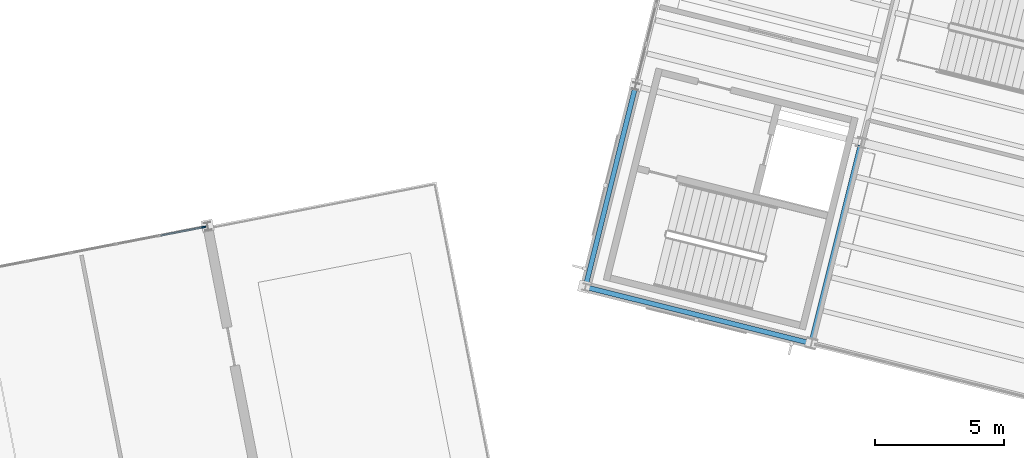
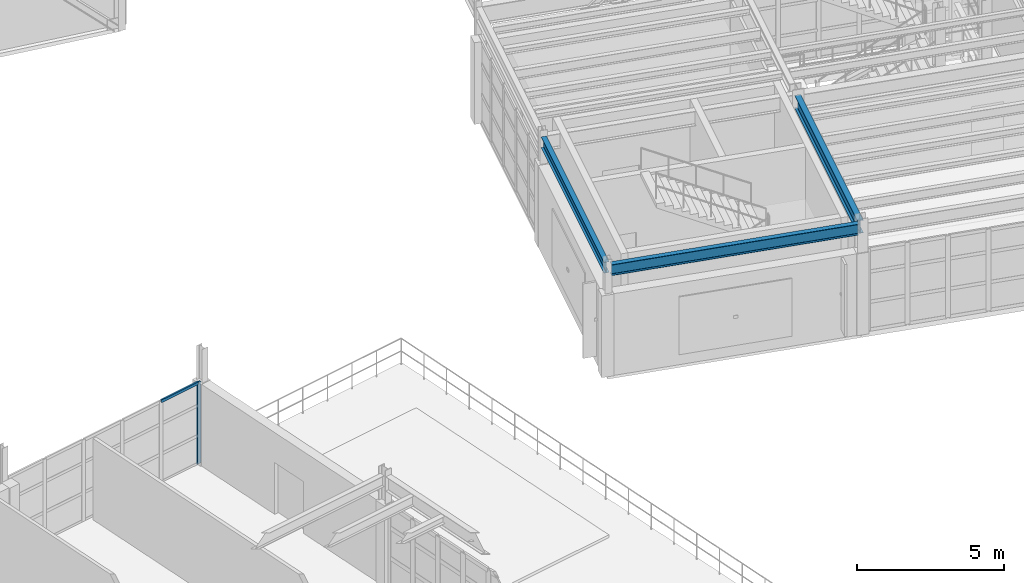
# One storey, part 28 of 109: 3 beams, 2 members, 1 element without a shape of its own.
"""IFC4 building model written with IfcOpenShell, lengths in metres."""

from ifc_helpers import new_model, si_unit, direction, frame, origin, origin_2d, place, context, subcontext, project, spatial, rectangle, i_section, extrude, material, layer, layer_set, material_profile, profile_set, type_object, element, aggregate, save


model = new_model("IFC4")

# Units and contexts
model_context = context("Model", 3, precision=1e-05, world=origin(), true_north=direction((0.0, 1.0)))
body_context = subcontext(model_context, "Body", "Model", "MODEL_VIEW")
ifc_project = project(units=[si_unit("LENGTHUNIT", "METRE"), si_unit("AREAUNIT", "SQUARE_METRE"), si_unit("VOLUMEUNIT", "CUBIC_METRE"), si_unit("PLANEANGLEUNIT", "RADIAN"), si_unit("MASSUNIT", "GRAM", prefix="KILO")], contexts=[model_context])

# Site, building, storey
site_placement = place(None, origin())
site = spatial("IfcSite", under=ifc_project, at=site_placement, CompositionType="ELEMENT")
building_placement = place(site_placement, origin())
building = spatial("IfcBuilding", under=site, at=building_placement, Name="Vireo Bluff Cable Station", CompositionType="ELEMENT")
storey_placement = place(building_placement, frame((0.0, 0.0, 4.800048828125)))
storey = spatial("IfcBuildingStorey", under=building, at=storey_placement, Name="L01", CompositionType="ELEMENT", Elevation=4.800048828125)

# Beam
ifc_material_1 = material(Name="Steel ASTM A992 Gr. 50", Category="steel")
ifc_material_profile_1 = material_profile(ifc_material_1, i_section(OverallWidth=0.214111328125, OverallDepth=0.549072265625, WebThickness=0.0146484375, FlangeThickness=0.023681640625, FilletRadius=0.012939453125, at=origin_2d()), Name="W21X93")
ifc_profile_set_1 = profile_set([ifc_material_profile_1], Name="Steel ASTM A992 Gr. 50")
beam_type_1 = type_object("IfcBeamType", Name="BM-W21X93", PredefinedType="BEAM", material=ifc_profile_set_1)
beam_1_placement = place(storey_placement, frame((62.76171875, 35.939208984375, 4.265380859375), z_axis=(0.241906346953, 0.970299602857, 0.0), x_axis=(-0.970299602857, 0.241906346953, 0.0)))
element("IfcBeam", 1, at=beam_1_placement, inside=storey, type_object=beam_type_1, Name="V1 L01 beam 63", PredefinedType="BEAM", context=body_context, shape_type="SweptSolid", body=[
    extrude(i_section(OverallWidth=0.214111328125, OverallDepth=0.549072265625, WebThickness=0.0146484375, FlangeThickness=0.023681640625, FilletRadius=0.012939453125, at=origin_2d()), origin(), (0.0, 0.0, 1.0), 7.760009765625),
])

# Curtain wall, members
ifc_material_2 = material(Name="Anodized Aluminium 6063-T6", Category="aluminium")
ifc_layer = layer(ifc_material_2, 0.179931640625, Name="Anodized Aluminium 6063-T6")
ifc_layer_set = layer_set([ifc_layer], Name="Anodized Aluminium 6063-T6")
curtain_wall_type = type_object("IfcCurtainWallType", Name="CW-UNIT-1650", PredefinedType="USERDEFINED", material=ifc_layer_set)
curtain_wall_placement = place(storey_placement, origin())
curtain_wall = element("IfcCurtainWall", 2, at=curtain_wall_placement, inside=storey, type_object=curtain_wall_type, Name="V5 L01 north curtain wall CW-122", ObjectType="UNITISED CURTAIN WALL", PredefinedType="USERDEFINED")
ifc_material_profile_2 = material_profile(ifc_material_2, rectangle(XDim=0.06005859375, YDim=0.159912109375, at=origin_2d()), Name="ALU-M-60X160")
ifc_profile_set_2 = profile_set([ifc_material_profile_2], Name="Anodized Aluminium 6063-T6")
member_type_1 = type_object("IfcMemberType", Name="CWM-03", PredefinedType="MULLION", material=ifc_profile_set_2)
member_1_placement = place(storey_placement, frame((39.244384765625, 40.315185546875, 0.0), z_axis=(0.0, 0.0, 1.0), x_axis=(-0.190809014291, 0.981627179771, 0.0)))
member_1 = element("IfcMember", 3, at=member_1_placement, type_object=member_type_1, Name="CW-122 mullion 6", PredefinedType="MULLION", context=body_context, shape_type="SweptSolid", body=[
    extrude(rectangle(XDim=0.06005859375, YDim=0.159912109375, at=origin_2d()), origin(), (0.0, 0.0, 1.0), 3.39990234375),
])
ifc_material_profile_3 = material_profile(ifc_material_2, rectangle(XDim=0.06005859375, YDim=0.1201171875, at=origin_2d()), Name="ALU-T-60X120")
ifc_profile_set_3 = profile_set([ifc_material_profile_3], Name="Anodized Aluminium 6063-T6")
member_type_2 = type_object("IfcMemberType", Name="CWT-03", PredefinedType="USERDEFINED", material=ifc_profile_set_3)
member_2_placement = place(storey_placement, frame((37.587158203125, 39.992919921875, 3.369873046875), z_axis=(0.981630710017, 0.190790851857, 0.0), x_axis=(-0.190790851857, 0.981630710017, 0.0)))
member_2 = element("IfcMember", 4, at=member_2_placement, type_object=member_type_2, Name="CW-122 transom 5.4", ObjectType="TRANSOM", PredefinedType="USERDEFINED", context=body_context, shape_type="SweptSolid", body=[
    extrude(rectangle(XDim=0.06005859375, YDim=0.1201171875, at=origin_2d()), origin(), (0.0, 0.0, 1.0), 1.658447265625),
])
aggregate(curtain_wall, [member_1, member_2])

# Beams
ifc_material_profile_4 = material_profile(ifc_material_1, i_section(OverallWidth=0.19091796875, OverallDepth=0.45703125, WebThickness=0.009033203125, FlangeThickness=0.014404296875, FilletRadius=0.011962890625, at=origin_2d()), Name="W18X50")
ifc_profile_set_4 = profile_set([ifc_material_profile_4], Name="Steel ASTM A992 Gr. 50")
beam_type_2 = type_object("IfcBeamType", Name="SPN-W18X50", PredefinedType="SPANDREL", material=ifc_profile_set_4)
beam_2_placement = place(storey_placement, frame((54.116455078125, 37.970947265625, 4.3115234375), z_axis=(0.970298044881, -0.241912595995, 0.0), x_axis=(0.241912595995, 0.970298044881, 0.0)))
element("IfcBeam", 5, at=beam_2_placement, inside=storey, type_object=beam_type_2, Name="V1 L01 spandrel 40", PredefinedType="SPANDREL", context=body_context, shape_type="SweptSolid", body=[
    extrude(i_section(OverallWidth=0.19091796875, OverallDepth=0.45703125, WebThickness=0.009033203125, FlangeThickness=0.014404296875, FilletRadius=0.011962890625, at=origin_2d()), origin(), (0.0, 0.0, 1.0), 8.760009765625),
])
beam_3_placement = place(storey_placement, frame((54.029052734375, 38.116455078125, 4.3115234375), z_axis=(0.241906346953, 0.970299602857, 0.0), x_axis=(-0.970299602857, 0.241906346953, 0.0)))
element("IfcBeam", 6, at=beam_3_placement, inside=storey, type_object=beam_type_2, Name="V1 L01 spandrel 60", PredefinedType="SPANDREL", context=body_context, shape_type="SweptSolid", body=[
    extrude(i_section(OverallWidth=0.19091796875, OverallDepth=0.45703125, WebThickness=0.009033203125, FlangeThickness=0.014404296875, FilletRadius=0.011962890625, at=origin_2d()), origin(), (0.0, 0.0, 1.0), 7.760009765625),
])

save(model, "model.ifc")
